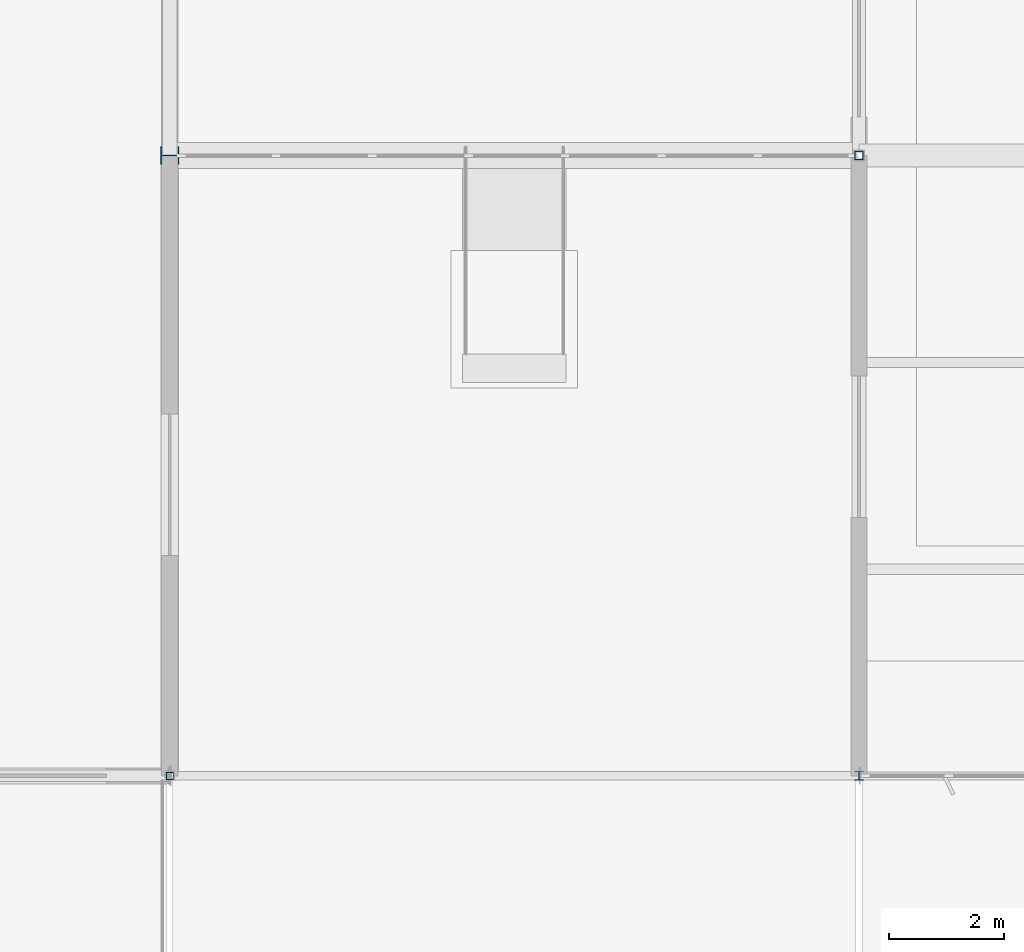
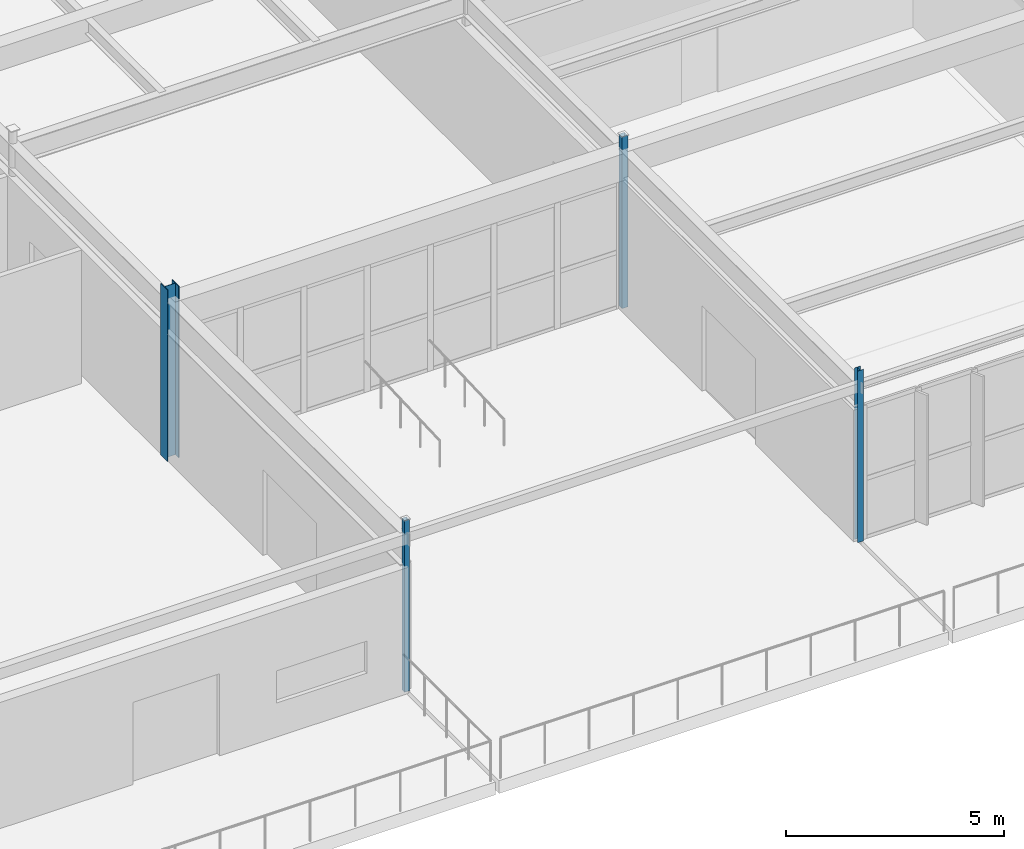
# One storey, part 38 of 199: 4 columns.
"""IFC4 building model written with IfcOpenShell, lengths in metres."""

import ifcopenshell
import ifcopenshell.guid

model = None  # the IFC model being written
_history = None  # IfcOwnerHistory: only IFC2X3 demands one
_inside = {}  # id of a spatial element -> (the spatial element, [elements in it])
_under = {}  # id of a project, library or spatial element -> (it, [spatial elements below it])
_declared = {}  # id of a project -> (the project, [libraries it declares])
_typed = {}  # id of a type object -> (the type object, [elements of that type])
_made_of = {}  # id of a material, layer set ... -> (it, [elements and type objects made of it])


def new_model(schema):
    """Start an empty IFC model of exactly this schema.

    Asked for "IFC4X3", IfcOpenShell would pick the latest addendum, in which some entities
    have other attributes; the version numbers below select the first issue.
    IFC2X3 requires an IfcOwnerHistory on every rooted entity: one is made here for all.
    """
    global model, _history
    if schema == "IFC4X3":
        model = ifcopenshell.file(schema_version=(4, 3, 0, 0))
    else:
        model = ifcopenshell.file(schema=schema)
    _inside.clear()
    _under.clear()
    _declared.clear()
    _typed.clear()
    _made_of.clear()
    _history = None
    if model.schema == "IFC2X3":
        org = make("IfcOrganization", Name="unknown")
        user = make(
            "IfcPersonAndOrganization",
            ThePerson=make("IfcPerson", FamilyName="unknown"),
            TheOrganization=org,
        )
        app = make(
            "IfcApplication",
            ApplicationDeveloper=org,
            Version="unknown",
            ApplicationFullName="unknown",
            ApplicationIdentifier="unknown",
        )
        _history = make(
            "IfcOwnerHistory",
            OwningUser=user,
            OwningApplication=app,
            ChangeAction="ADDED",
            CreationDate=0,
        )
    return model


def make(cls, **values):
    """One entity of the class cls with the attributes given. An attribute that is None is left unset."""
    return model.create_entity(
        cls, **{name: value for name, value in values.items() if value is not None}
    )


def rooted(cls, **values):
    """An entity with a GlobalId (a new one), such as an element, a storey or a relation."""
    return make(cls, GlobalId=ifcopenshell.guid.new(), OwnerHistory=_history, **values)


def si_unit(unit_type, name, prefix=None):
    """IfcSIUnit, for example si_unit("LENGTHUNIT", "METRE", prefix="MILLI")."""
    return make("IfcSIUnit", UnitType=unit_type, Prefix=prefix, Name=name)


def assignment(units):
    """IfcUnitAssignment: the units of a project."""
    return None if units is None else make("IfcUnitAssignment", Units=units)


def point(xyz):
    """IfcCartesianPoint."""
    return None if xyz is None else make("IfcCartesianPoint", Coordinates=xyz)


def direction(xyz):
    """IfcDirection."""
    return None if xyz is None else make("IfcDirection", DirectionRatios=xyz)


def frame(location, z_axis=None, x_axis=None):
    """IfcAxis2Placement3D, a coordinate frame: its origin and axes. An axis left out is left unset."""
    return make(
        "IfcAxis2Placement3D",
        Location=point(location),
        Axis=direction(z_axis),
        RefDirection=direction(x_axis),
    )


def frame_2d(location, x_axis=None):
    """IfcAxis2Placement2D, a coordinate frame in the plane: its origin and x axis."""
    return make(
        "IfcAxis2Placement2D", Location=point(location), RefDirection=direction(x_axis)
    )


def origin():
    """The frame at (0, 0, 0) with its axes left unset."""
    return frame((0.0, 0.0, 0.0))


def origin_2d():
    """The frame at (0, 0) in the plane with its x axis left unset."""
    return frame_2d((0.0, 0.0))


def place(relative_to, where):
    """IfcLocalPlacement: puts the frame where relative to a parent placement (None: the world)."""
    return make(
        "IfcLocalPlacement", PlacementRelTo=relative_to, RelativePlacement=where
    )


def context(
    kind, dimensions, precision=None, world=None, true_north=None, identifier=None
):
    """IfcGeometricRepresentationContext, for example the 3D "Model" context."""
    return make(
        "IfcGeometricRepresentationContext",
        ContextIdentifier=identifier,
        ContextType=kind,
        CoordinateSpaceDimension=dimensions,
        Precision=precision,
        WorldCoordinateSystem=world,
        TrueNorth=true_north,
    )


def subcontext(parent, identifier, kind, view, scale=None):
    """IfcGeometricRepresentationSubContext, for example "Body" below "Model"."""
    return make(
        "IfcGeometricRepresentationSubContext",
        ContextIdentifier=identifier,
        ContextType=kind,
        ParentContext=parent,
        TargetScale=scale,
        TargetView=view,
    )


def project(units=None, contexts=None):
    """IfcProject with its units and contexts."""
    return rooted(
        "IfcProject",
        Name="project",
        RepresentationContexts=contexts,
        UnitsInContext=assignment(units),
    )


def spatial(cls, under=None, at=None, **own):
    """A site, building, storey or space (cls), placed at a placement, below another one or the project."""
    s = rooted(cls, ObjectPlacement=at, **own)
    if under is not None:
        _under.setdefault(under.id(), (under, []))[1].append(s)
    return s


def profile(cls, at=None, kind="AREA", **sizes):
    """A parametric profile (cls). Its sizes go by their IFC names, for example OverallWidth=200.0."""
    return make(cls, ProfileType=kind, Position=at, **sizes)


def hollow_rectangle(**sizes):
    """IfcRectangleHollowProfileDef."""
    return profile("IfcRectangleHollowProfileDef", **sizes)


def i_section(**sizes):
    """IfcIShapeProfileDef."""
    return profile("IfcIShapeProfileDef", **sizes)


def extrude(swept, where, along, depth):
    """IfcExtrudedAreaSolid: the profile swept, set in the frame where, extruded along a direction by depth."""
    return make(
        "IfcExtrudedAreaSolid",
        SweptArea=swept,
        Position=where,
        ExtrudedDirection=direction(along),
        Depth=depth,
    )


def shape(context_of_items, identifier, shape_type, items):
    """IfcShapeRepresentation: the items that make up one representation, for example the "Body"."""
    return make(
        "IfcShapeRepresentation",
        ContextOfItems=context_of_items,
        RepresentationIdentifier=identifier,
        RepresentationType=shape_type,
        Items=items,
    )


def material(Name=None, Category=None):
    """IfcMaterial."""
    return make("IfcMaterial", Name=Name, Category=Category)


def material_profile(
    of_material, cross_section, Name=None, Category=None, Priority=None
):
    """IfcMaterialProfile: a cross section and its material."""
    return make(
        "IfcMaterialProfile",
        Name=Name,
        Material=of_material,
        Profile=cross_section,
        Priority=Priority,
        Category=Category,
    )


def profile_set(profiles, Name=None, composite=None):
    """IfcMaterialProfileSet."""
    return make(
        "IfcMaterialProfileSet",
        Name=Name,
        MaterialProfiles=profiles,
        CompositeProfile=composite,
    )


def made_of(thing, what):
    """Note that an element or type object is made of a material, layer set ...; save() writes the relation."""
    if what is not None:
        _made_of.setdefault(what.id(), (what, []))[1].append(thing)
    return thing


def type_object(cls, material=None, **own):
    """A type object (cls), such as IfcWallType, which elements share."""
    return made_of(rooted(cls, **own), material)


def element(
    cls,
    number,
    at=None,
    inside=None,
    cuts=None,
    type_object=None,
    material=None,
    context=None,
    identifier="Body",
    shape_type=None,
    held_by="IfcProductDefinitionShape",
    body=None,
    shapes=None,
    **own,
):
    """One element of the class cls, such as IfcWall. Its Tag is "e" and its number.

    at: its placement. inside: the storey or other place that contains it. cuts: it is an
    opening in that element (IfcRelVoidsElement). A single representation is given by context,
    identifier, shape_type and body (its items); several are given by shapes. held_by: the class
    of the entity that holds the representations. save() writes the other relations.
    """
    e = rooted(cls, Tag="e%d" % number, ObjectPlacement=at, **own)
    if body is not None:
        shapes = [shape(context, identifier, shape_type, body)]
    if shapes is not None:
        e.Representation = make(held_by, Representations=shapes)
    if inside is not None:
        _inside.setdefault(inside.id(), (inside, []))[1].append(e)
    if cuts is not None:
        rooted(
            "IfcRelVoidsElement", RelatingBuildingElement=cuts, RelatedOpeningElement=e
        )
    if type_object is not None:
        _typed.setdefault(type_object.id(), (type_object, []))[1].append(e)
    return made_of(e, material)


def aggregate(whole, parts):
    """IfcRelAggregates: a whole, such as a stair, and the parts it consists of."""
    return rooted("IfcRelAggregates", RelatingObject=whole, RelatedObjects=parts)


def save(model, path):
    """Write the relations noted so far, then the file.

    IfcRelAggregates (storeys below a building ...), IfcRelContainedInSpatialStructure (elements
    in a storey), IfcRelDefinesByType, IfcRelAssociatesMaterial and IfcRelDeclares: one each for
    every whole, place, type object, material and project.
    """
    for whole, parts in _under.values():
        aggregate(whole, parts)
    for where, things in _inside.values():
        rooted(
            "IfcRelContainedInSpatialStructure",
            RelatedElements=things,
            RelatingStructure=where,
        )
    for kind, things in _typed.values():
        rooted("IfcRelDefinesByType", RelatedObjects=things, RelatingType=kind)
    for what, things in _made_of.values():
        rooted("IfcRelAssociatesMaterial", RelatedObjects=things, RelatingMaterial=what)
    for by, libraries in _declared.values():
        rooted("IfcRelDeclares", RelatingContext=by, RelatedDefinitions=libraries)
    model.write(path)


model = new_model("IFC4")

# Units and contexts
model_context = context("Model", 3, precision=1e-05, world=origin(), true_north=direction((0.0, 1.0)))
body_context = subcontext(model_context, "Body", "Model", "MODEL_VIEW")
ifc_project = project(units=[si_unit("LENGTHUNIT", "METRE"), si_unit("AREAUNIT", "SQUARE_METRE"), si_unit("VOLUMEUNIT", "CUBIC_METRE"), si_unit("PLANEANGLEUNIT", "RADIAN"), si_unit("MASSUNIT", "GRAM", prefix="KILO")], contexts=[model_context])

# Site, building, storey
site_placement = place(None, origin())
site = spatial("IfcSite", under=ifc_project, at=site_placement, CompositionType="ELEMENT")
building_placement = place(site_placement, origin())
building = spatial("IfcBuilding", under=site, at=building_placement, Name="Tarnwether General Hospital", CompositionType="ELEMENT")
storey_placement = place(building_placement, origin())
storey = spatial("IfcBuildingStorey", under=building, at=storey_placement, Name="L00", CompositionType="ELEMENT", Elevation=0.0)

# Columns
ifc_material_1 = material(Name="Steel Grade 350 (350 MPa)", Category="steel")
ifc_material_profile_1 = material_profile(ifc_material_1, i_section(OverallWidth=0.30908203125, OverallDepth=0.321044921875, WebThickness=0.013916015625, FlangeThickness=0.021728515625, at=origin_2d()), Name="310UC137")
ifc_profile_set_1 = profile_set([ifc_material_profile_1], Name="Steel Grade 350 (350 MPa)")
column_type_1 = type_object("IfcColumnType", Name="COL-06", PredefinedType="COLUMN", material=ifc_profile_set_1)
column_1_placement = place(storey_placement, frame((132.0, 10.800048828125, 0.0), z_axis=(0.0, 0.0, 1.0), x_axis=(0.0, 1.0, 0.0)))
element("IfcColumn", 1, at=column_1_placement, inside=storey, type_object=column_type_1, Name="Column COLG-L00-13200_1080", PredefinedType="COLUMN", context=body_context, shape_type="SweptSolid", body=[
    extrude(i_section(OverallWidth=0.30908203125, OverallDepth=0.321044921875, WebThickness=0.013916015625, FlangeThickness=0.021728515625, at=origin_2d()), origin(), (0.0, 0.0, 1.0), 4.800048828125),
])
ifc_material_2 = material(Name="Steel Grade 350 (350 MPa)", Category="steel")
ifc_material_profile_2 = material_profile(ifc_material_2, i_section(OverallWidth=0.152099609375, OverallDepth=0.152099609375, WebThickness=0.006103515625, FlangeThickness=0.0068359375, at=origin_2d()), Name="150UC23.4")
ifc_profile_set_2 = profile_set([ifc_material_profile_2], Name="Steel Grade 350 (350 MPa)")
column_type_2 = type_object("IfcColumnType", Name="COL-32", PredefinedType="COLUMN", material=ifc_profile_set_2)
column_2_placement = place(storey_placement, frame((144.0, 0.0, 0.0), z_axis=(0.0, 0.0, 1.0), x_axis=(1.0, 0.0, 0.0)))
element("IfcColumn", 2, at=column_2_placement, inside=storey, type_object=column_type_2, Name="Column COLG-L00-14400_0", PredefinedType="COLUMN", context=body_context, shape_type="SweptSolid", body=[
    extrude(i_section(OverallWidth=0.152099609375, OverallDepth=0.152099609375, WebThickness=0.006103515625, FlangeThickness=0.0068359375, at=origin_2d()), origin(), (0.0, 0.0, 1.0), 4.800048828125),
])
ifc_material_3 = material(Name="Steel Grade C350L0 (350 MPa)", Category="steel")
ifc_material_profile_3 = material_profile(ifc_material_3, hollow_rectangle(XDim=0.14990234375, YDim=0.14990234375, WallThickness=0.008056640625, at=origin_2d()), Name="SHS150x150x8")
ifc_profile_set_3 = profile_set([ifc_material_profile_3], Name="Steel Grade C350L0 (350 MPa)")
column_type_3 = type_object("IfcColumnType", Name="COL-33", PredefinedType="COLUMN", material=ifc_profile_set_3)
column_3_placement = place(storey_placement, frame((144.0, 10.800048828125, 0.0), z_axis=(0.0, 0.0, 1.0), x_axis=(1.0, 0.0, 0.0)))
element("IfcColumn", 3, at=column_3_placement, inside=storey, type_object=column_type_3, Name="Column COLG-L00-14400_1080", PredefinedType="COLUMN", context=body_context, shape_type="SweptSolid", body=[
    extrude(hollow_rectangle(XDim=0.14990234375, YDim=0.14990234375, WallThickness=0.008056640625, at=origin_2d()), origin(), (0.0, 0.0, 1.0), 4.800048828125),
])
ifc_material_4 = material(Name="Steel Grade C350L0 (350 MPa)", Category="steel")
ifc_material_profile_4 = material_profile(ifc_material_4, hollow_rectangle(XDim=0.125, YDim=0.125, WallThickness=0.006103515625, at=origin_2d()), Name="SHS125x125x6")
ifc_profile_set_4 = profile_set([ifc_material_profile_4], Name="Steel Grade C350L0 (350 MPa)")
column_type_4 = type_object("IfcColumnType", Name="COL-34", PredefinedType="COLUMN", material=ifc_profile_set_4)
column_4_placement = place(storey_placement, frame((132.0, 0.0, 0.0), z_axis=(0.0, 0.0, 1.0), x_axis=(0.0, 1.0, 0.0)))
element("IfcColumn", 4, at=column_4_placement, inside=storey, type_object=column_type_4, Name="Column COLG-L00-13200_0", PredefinedType="COLUMN", context=body_context, shape_type="SweptSolid", body=[
    extrude(hollow_rectangle(XDim=0.125, YDim=0.125, WallThickness=0.006103515625, at=origin_2d()), origin(), (0.0, 0.0, 1.0), 4.800048828125),
])

save(model, "model.ifc")
